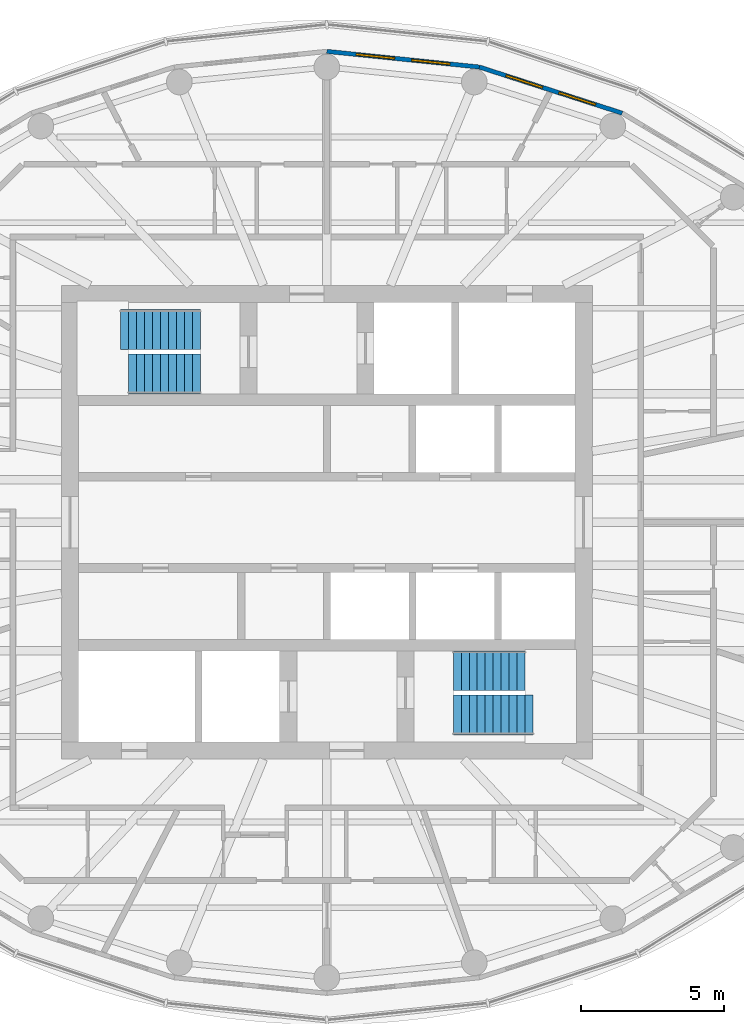
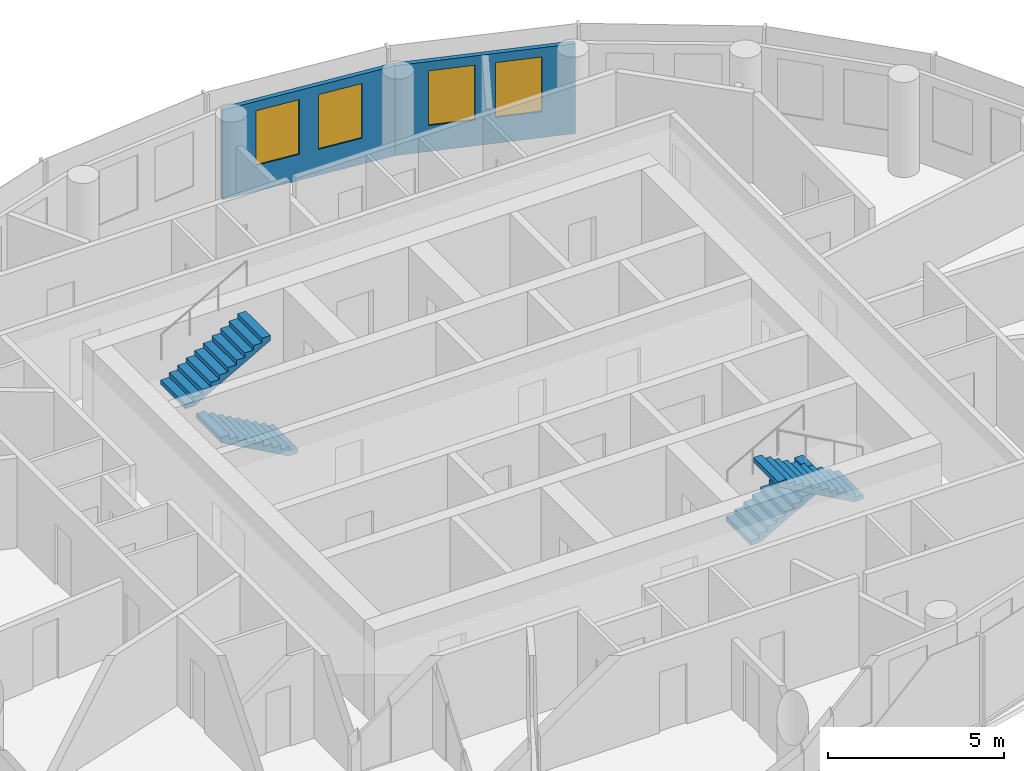
# One storey, part 10 of 11: 4 stair flights, 4 windows, 2 walls, 4 openings, 2 elements without a shape of their own.
"""IFC4 building model written with IfcOpenShell, lengths in metres."""

from ifc_helpers import new_model, si_unit, direction, frame, frame_2d, origin, place, context, subcontext, project, spatial, polyline, rectangle, outline, extrude, material, layer, layer_set, type_object, element, fill, aggregate, save


model = new_model("IFC4")

# Units and contexts
model_context = context("Model", 3, precision=1e-05, world=origin(), true_north=direction((0.0, 1.0)))
body_context = subcontext(model_context, "Body", "Model", "MODEL_VIEW")
ifc_project = project(units=[si_unit("LENGTHUNIT", "METRE"), si_unit("AREAUNIT", "SQUARE_METRE"), si_unit("VOLUMEUNIT", "CUBIC_METRE"), si_unit("PLANEANGLEUNIT", "RADIAN"), si_unit("MASSUNIT", "GRAM", prefix="KILO")], contexts=[model_context])

# Site, building, storey
site_placement = place(None, origin())
site = spatial("IfcSite", under=ifc_project, at=site_placement, CompositionType="ELEMENT")
building_placement = place(site_placement, origin())
building = spatial("IfcBuilding", under=site, at=building_placement, Name="Hankou Lantern Tower", CompositionType="ELEMENT")
storey_placement = place(building_placement, frame((0.0, 0.0, 202.800048828125)))
storey = spatial("IfcBuildingStorey", under=building, at=storey_placement, Name="L54", CompositionType="ELEMENT", Elevation=202.800048828125)

# Wall, openings, windows
ifc_material_1 = material(Name="Aluminium spandrel panel on steel studs", Category="steel")
ifc_layer = layer(ifc_material_1, 0.14990234375)
ifc_layer_set = layer_set([ifc_layer], Name="Aluminium spandrel panel on steel studs")
wall_type = type_object("IfcWallType", Name="EW1 INNER SKIN WALL 150", PredefinedType="ELEMENTEDWALL", material=ifc_layer_set)
wall_1_placement = place(storey_placement, frame((10.346435546875, 14.33642578125, 0.0), z_axis=(0.0, 0.0, 1.0), x_axis=(-0.951644702515, 0.307200846638, 0.0)))
wall_1 = element("IfcWall", 1, at=wall_1_placement, inside=storey, type_object=wall_type, Name="Inner skin R05-R06 L54", PredefinedType="ELEMENTEDWALL", context=body_context, shape_type="SweptSolid", body=[
    extrude(rectangle(XDim=5.2578125, YDim=0.14990234375, at=frame_2d((2.62890625, 0.0))), origin(), (0.0, 0.0, 1.0), 3.119873046875),
])
opening_1_placement = place(wall_1_placement, frame((0.97900390625, 0.0, 0.89990234375)))
opening_1 = element("IfcOpeningElement", 2, at=opening_1_placement, cuts=wall_1, Name="Opening W4", PredefinedType="OPENING", context=body_context, shape_type="SweptSolid", body=[
    extrude(rectangle(XDim=1.35009765625, YDim=1.89990234375, at=frame_2d((0.675048828125, 0.949951171875))), frame((0.0, 0.0849609375, 0.0), z_axis=(0.0, -1.0, 0.0), x_axis=(1.0, 0.0, 0.0)), (0.0, 0.0, 1.0), 0.169921875),
])
opening_2_placement = place(wall_1_placement, frame((2.928955078125, 0.0, 0.89990234375)))
opening_2 = element("IfcOpeningElement", 3, at=opening_2_placement, cuts=wall_1, Name="Opening W4", PredefinedType="OPENING", context=body_context, shape_type="SweptSolid", body=[
    extrude(rectangle(XDim=1.35009765625, YDim=1.89990234375, at=frame_2d((0.675048828125, 0.949951171875))), frame((0.0, 0.0849609375, 0.0), z_axis=(0.0, -1.0, 0.0), x_axis=(1.0, 0.0, 0.0)), (0.0, 0.0, 1.0), 0.169921875),
])
ifc_material_2 = material(Name="Aluminium framed double glazed window", Category="aluminium")
window_type = type_object("IfcWindowType", Name="W4 SUITE WINDOW 1350X1900", PartitioningType="DOUBLE_PANEL_VERTICAL", PredefinedType="WINDOW", material=ifc_material_2)
window_1_placement = place(opening_1_placement, origin())
window_1 = element("IfcWindow", 4, at=window_1_placement, inside=storey, type_object=window_type, Name="Window R05.1 L54", OverallHeight=1.89990234375, OverallWidth=1.35009765625, PartitioningType="SINGLE_PANEL", PredefinedType="WINDOW", context=body_context, shape_type="SweptSolid", body=[
    extrude(rectangle(XDim=1.35009765625, YDim=1.89990234375, at=frame_2d((0.675048828125, 0.949951171875))), frame((0.0, 0.030029296875, 0.0), z_axis=(0.0, -1.0, 0.0), x_axis=(1.0, 0.0, 0.0)), (0.0, 0.0, 1.0), 0.06005859375),
])
fill(opening_1, window_1)
window_2_placement = place(opening_2_placement, origin())
window_2 = element("IfcWindow", 5, at=window_2_placement, inside=storey, type_object=window_type, Name="Window R05.2 L54", OverallHeight=1.89990234375, OverallWidth=1.35009765625, PartitioningType="SINGLE_PANEL", PredefinedType="WINDOW", context=body_context, shape_type="SweptSolid", body=[
    extrude(rectangle(XDim=1.35009765625, YDim=1.89990234375, at=frame_2d((0.675048828125, 0.949951171875))), frame((0.0, 0.030029296875, 0.0), z_axis=(0.0, -1.0, 0.0), x_axis=(1.0, 0.0, 0.0)), (0.0, 0.0, 1.0), 0.06005859375),
])
fill(opening_2, window_2)

wall_2_placement = place(storey_placement, frame((5.3427734375, 15.95166015625, 0.0), z_axis=(0.0, 0.0, 1.0), x_axis=(-0.994774574972, 0.102095763818, 0.0)))
wall_2 = element("IfcWall", 6, at=wall_2_placement, inside=storey, type_object=wall_type, Name="Inner skin R06-R07 L54", PredefinedType="ELEMENTEDWALL", context=body_context, shape_type="SweptSolid", body=[
    extrude(rectangle(XDim=5.370849609375, YDim=0.14990234375, at=frame_2d((2.685546875, 0.0))), origin(), (0.0, 0.0, 1.0), 3.119873046875),
])
opening_3_placement = place(wall_2_placement, frame((1.035400390625, 0.0, 0.89990234375)))
opening_3 = element("IfcOpeningElement", 7, at=opening_3_placement, cuts=wall_2, Name="Opening W4", PredefinedType="OPENING", context=body_context, shape_type="SweptSolid", body=[
    extrude(rectangle(XDim=1.35009765625, YDim=1.89990234375, at=frame_2d((0.675048828125, 0.949951171875))), frame((0.0, 0.0849609375, 0.0), z_axis=(0.0, -1.0, 0.0), x_axis=(1.0, 0.0, 0.0)), (0.0, 0.0, 1.0), 0.169921875),
])
opening_4_placement = place(wall_2_placement, frame((2.9853515625, 0.0, 0.89990234375)))
opening_4 = element("IfcOpeningElement", 8, at=opening_4_placement, cuts=wall_2, Name="Opening W4", PredefinedType="OPENING", context=body_context, shape_type="SweptSolid", body=[
    extrude(rectangle(XDim=1.35009765625, YDim=1.89990234375, at=frame_2d((0.675048828125, 0.949951171875))), frame((0.0, 0.0849609375, 0.0), z_axis=(0.0, -1.0, 0.0), x_axis=(1.0, 0.0, 0.0)), (0.0, 0.0, 1.0), 0.169921875),
])
window_3_placement = place(opening_3_placement, origin())
window_3 = element("IfcWindow", 9, at=window_3_placement, inside=storey, type_object=window_type, Name="Window R06.1 L54", OverallHeight=1.89990234375, OverallWidth=1.35009765625, PartitioningType="SINGLE_PANEL", PredefinedType="WINDOW", context=body_context, shape_type="SweptSolid", body=[
    extrude(rectangle(XDim=1.35009765625, YDim=1.89990234375, at=frame_2d((0.675048828125, 0.949951171875))), frame((0.0, 0.030029296875, 0.0), z_axis=(0.0, -1.0, 0.0), x_axis=(1.0, 0.0, 0.0)), (0.0, 0.0, 1.0), 0.06005859375),
])
fill(opening_3, window_3)
window_4_placement = place(opening_4_placement, origin())
window_4 = element("IfcWindow", 10, at=window_4_placement, inside=storey, type_object=window_type, Name="Window R06.2 L54", OverallHeight=1.89990234375, OverallWidth=1.35009765625, PartitioningType="SINGLE_PANEL", PredefinedType="WINDOW", context=body_context, shape_type="SweptSolid", body=[
    extrude(rectangle(XDim=1.35009765625, YDim=1.89990234375, at=frame_2d((0.675048828125, 0.949951171875))), frame((0.0, 0.030029296875, 0.0), z_axis=(0.0, -1.0, 0.0), x_axis=(1.0, 0.0, 0.0)), (0.0, 0.0, 1.0), 0.06005859375),
])
fill(opening_4, window_4)

# Stair, stair flight
ifc_material_3 = material(Name="Concrete C40", Category="concrete")
stair_type = type_object("IfcStairType", Name="ST33 CORE STAIR 3300 RISE", PredefinedType="HALF_TURN_STAIR", material=ifc_material_3)
stair_1_placement = place(storey_placement, origin())
stair_1 = element("IfcStair", 11, at=stair_1_placement, inside=storey, type_object=stair_type, Name="Stair STA L54", PredefinedType="HALF_TURN_STAIR")
ifc_material_4 = material(Name="Concrete C40", Category="concrete")
stair_flight_type_1 = type_object("IfcStairFlightType", Name="CF10 CORE STAIR FLIGHT 1400 X 10 RISERS", PredefinedType="STRAIGHT", material=ifc_material_4)
stair_flight_1_placement = place(storey_placement, frame((-4.429931640625, 5.199951171875, 0.0), z_axis=(0.0, 0.0, 1.0), x_axis=(-1.0, 0.0, 0.0)))
stair_flight_1 = element("IfcStairFlight", 12, at=stair_flight_1_placement, type_object=stair_flight_type_1, Name="STA flight 1", NumberOfRisers=10, NumberOfTreads=9, PredefinedType="STRAIGHT", RiserHeight=0.157142857, TreadLength=0.28, context=body_context, shape_type="SweptSolid", body=[
    extrude(outline(polyline([(0.0, 0.0), (0.0, 0.1572265625), (0.280029296875, 0.1572265625), (0.280029296875, 0.314208984375), (0.56005859375, 0.314208984375), (0.56005859375, 0.471435546875), (0.840087890625, 0.471435546875), (0.840087890625, 0.628662109375), (1.1201171875, 0.628662109375), (1.1201171875, 0.78564453125), (1.39990234375, 0.78564453125), (1.39990234375, 0.94287109375), (1.679931640625, 0.94287109375), (1.679931640625, 1.10009765625), (1.9599609375, 1.10009765625), (1.9599609375, 1.257080078125), (2.239990234375, 1.257080078125), (2.239990234375, 1.414306640625), (2.52001953125, 1.414306640625), (2.52001953125, 1.571533203125), (2.52001953125, 1.242431640625), (0.306396484375, 0.0), (0.0, 0.0)])), frame((0.0, 0.699951171875, 0.0), z_axis=(0.0, -1.0, 0.0), x_axis=(1.0, 0.0, 0.0)), (0.0, 0.0, 1.0), 1.39990234375),
])

stair_2_placement = place(storey_placement, origin())
stair_2 = element("IfcStair", 13, at=stair_2_placement, inside=storey, type_object=stair_type, Name="Stair STB L54", PredefinedType="HALF_TURN_STAIR")
stair_flight_2_placement = place(storey_placement, frame((4.429931640625, -5.199951171875, 0.0), z_axis=(0.0, 0.0, 1.0), x_axis=(1.0, 0.0, 0.0)))
stair_flight_2 = element("IfcStairFlight", 14, at=stair_flight_2_placement, type_object=stair_flight_type_1, Name="STB flight 1", NumberOfRisers=10, NumberOfTreads=9, PredefinedType="STRAIGHT", RiserHeight=0.157142857, TreadLength=0.28, context=body_context, shape_type="SweptSolid", body=[
    extrude(outline(polyline([(0.0, 0.0), (0.0, 0.1572265625), (0.280029296875, 0.1572265625), (0.280029296875, 0.314208984375), (0.56005859375, 0.314208984375), (0.56005859375, 0.471435546875), (0.840087890625, 0.471435546875), (0.840087890625, 0.628662109375), (1.1201171875, 0.628662109375), (1.1201171875, 0.78564453125), (1.39990234375, 0.78564453125), (1.39990234375, 0.94287109375), (1.679931640625, 0.94287109375), (1.679931640625, 1.10009765625), (1.9599609375, 1.10009765625), (1.9599609375, 1.257080078125), (2.239990234375, 1.257080078125), (2.239990234375, 1.414306640625), (2.52001953125, 1.414306640625), (2.52001953125, 1.571533203125), (2.52001953125, 1.242431640625), (0.306396484375, 0.0), (0.0, 0.0)])), frame((0.0, 0.699951171875, 0.0), z_axis=(0.0, -1.0, 0.0), x_axis=(1.0, 0.0, 0.0)), (0.0, 0.0, 1.0), 1.39990234375),
])

# Stair flight
ifc_material_5 = material(Name="Concrete C40", Category="concrete")
stair_flight_type_2 = type_object("IfcStairFlightType", Name="CF11 CORE STAIR FLIGHT 1400 X 11 RISERS", PredefinedType="STRAIGHT", material=ifc_material_5)
stair_flight_3_placement = place(storey_placement, frame((-7.22998046875, 6.75, 1.5712890625), z_axis=(0.0, 0.0, 1.0), x_axis=(1.0, 0.0, 0.0)))
stair_flight_3 = element("IfcStairFlight", 15, at=stair_flight_3_placement, type_object=stair_flight_type_2, Name="STA flight 2", NumberOfRisers=11, NumberOfTreads=10, PredefinedType="STRAIGHT", RiserHeight=0.157142857, TreadLength=0.28, context=body_context, shape_type="SweptSolid", body=[
    extrude(outline(polyline([(0.0, 0.0), (0.0, 0.1572265625), (0.280029296875, 0.1572265625), (0.280029296875, 0.314208984375), (0.56005859375, 0.314208984375), (0.56005859375, 0.471435546875), (0.840087890625, 0.471435546875), (0.840087890625, 0.628662109375), (1.1201171875, 0.628662109375), (1.1201171875, 0.78564453125), (1.39990234375, 0.78564453125), (1.39990234375, 0.94287109375), (1.679931640625, 0.94287109375), (1.679931640625, 1.10009765625), (1.9599609375, 1.10009765625), (1.9599609375, 1.257080078125), (2.239990234375, 1.257080078125), (2.239990234375, 1.414306640625), (2.52001953125, 1.414306640625), (2.52001953125, 1.571533203125), (2.800048828125, 1.571533203125), (2.800048828125, 1.728515625), (2.800048828125, 1.3994140625), (0.306396484375, 0.0), (0.0, 0.0)])), frame((0.0, 0.699951171875, 0.0), z_axis=(0.0, -1.0, 0.0), x_axis=(1.0, 0.0, 0.0)), (0.0, 0.0, 1.0), 1.39990234375),
])

aggregate(stair_1, [stair_flight_1, stair_flight_3])

stair_flight_4_placement = place(storey_placement, frame((7.22998046875, -6.75, 1.5712890625), z_axis=(0.0, 0.0, 1.0), x_axis=(-1.0, 0.0, 0.0)))
stair_flight_4 = element("IfcStairFlight", 16, at=stair_flight_4_placement, type_object=stair_flight_type_2, Name="STB flight 2", NumberOfRisers=11, NumberOfTreads=10, PredefinedType="STRAIGHT", RiserHeight=0.157142857, TreadLength=0.28, context=body_context, shape_type="SweptSolid", body=[
    extrude(outline(polyline([(0.0, 0.0), (0.0, 0.1572265625), (0.280029296875, 0.1572265625), (0.280029296875, 0.314208984375), (0.56005859375, 0.314208984375), (0.56005859375, 0.471435546875), (0.840087890625, 0.471435546875), (0.840087890625, 0.628662109375), (1.1201171875, 0.628662109375), (1.1201171875, 0.78564453125), (1.39990234375, 0.78564453125), (1.39990234375, 0.94287109375), (1.679931640625, 0.94287109375), (1.679931640625, 1.10009765625), (1.9599609375, 1.10009765625), (1.9599609375, 1.257080078125), (2.239990234375, 1.257080078125), (2.239990234375, 1.414306640625), (2.52001953125, 1.414306640625), (2.52001953125, 1.571533203125), (2.800048828125, 1.571533203125), (2.800048828125, 1.728515625), (2.800048828125, 1.3994140625), (0.306396484375, 0.0), (0.0, 0.0)])), frame((0.0, 0.699951171875, 0.0), z_axis=(0.0, -1.0, 0.0), x_axis=(1.0, 0.0, 0.0)), (0.0, 0.0, 1.0), 1.39990234375),
])

aggregate(stair_2, [stair_flight_2, stair_flight_4])

save(model, "model.ifc")
